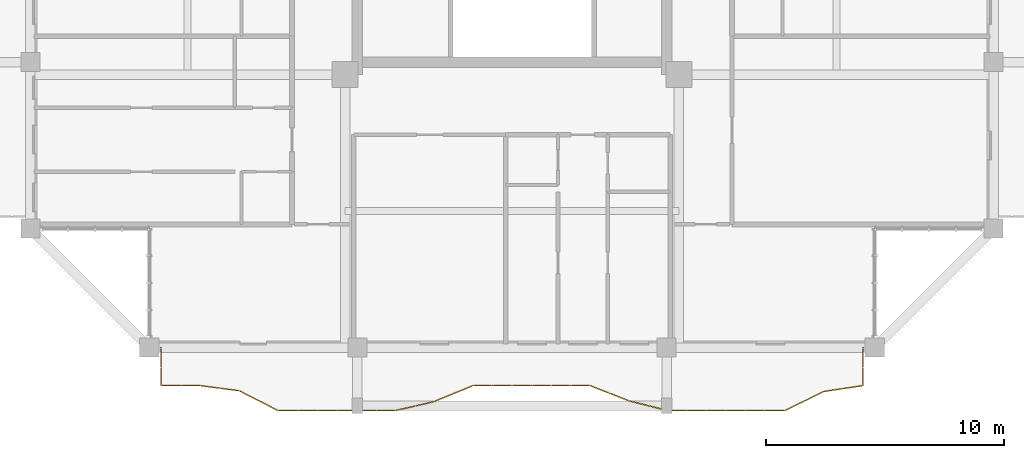
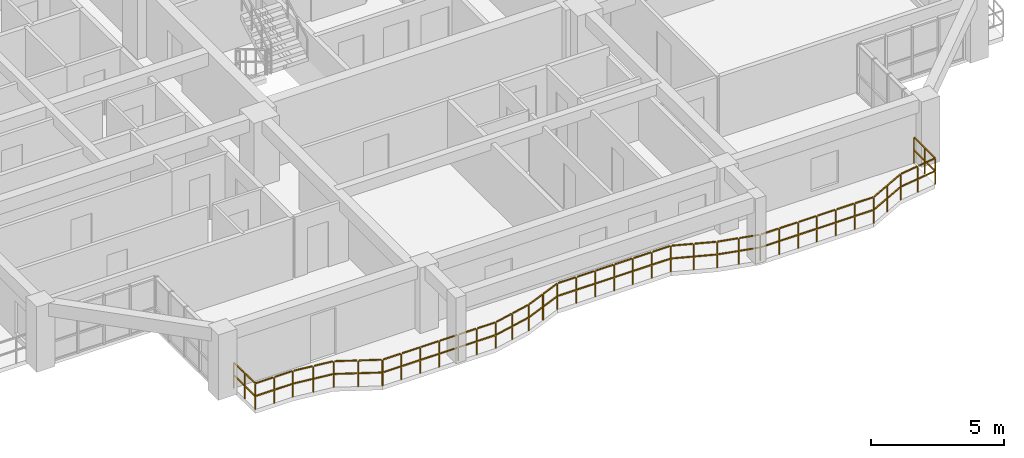
# One storey, part 17 of 21: 1 railing.
"""IFC4 building model written with IfcOpenShell, lengths in metres."""

from ifc_helpers import new_model, si_unit, direction, frame, origin, origin_2d, place, context, subcontext, project, spatial, rectangle, extrude, material, type_object, element, save


model = new_model("IFC4")

# Units and contexts
model_context = context("Model", 3, precision=1e-05, world=origin(), true_north=direction((0.0, 1.0)))
body_context = subcontext(model_context, "Body", "Model", "MODEL_VIEW")
ifc_project = project(units=[si_unit("LENGTHUNIT", "METRE"), si_unit("AREAUNIT", "SQUARE_METRE"), si_unit("VOLUMEUNIT", "CUBIC_METRE"), si_unit("PLANEANGLEUNIT", "RADIAN"), si_unit("MASSUNIT", "GRAM", prefix="KILO")], contexts=[model_context])

# Site, building, storey
site_placement = place(None, origin())
site = spatial("IfcSite", under=ifc_project, at=site_placement, CompositionType="ELEMENT")
building_placement = place(site_placement, origin())
building = spatial("IfcBuilding", under=site, at=building_placement, Name="Saelheon Loggia Tower", CompositionType="ELEMENT")
storey_placement = place(building_placement, frame((0.0, 0.0, 186.699951171875)))
storey = spatial("IfcBuildingStorey", under=building, at=storey_placement, Name="L58", CompositionType="ELEMENT", Elevation=186.699951171875)

# Railing
ifc_material = material(Name="Architectural Precast Concrete and Laminated Glass Guard", Category="concrete")
railing_type = type_object("IfcRailingType", Name="Guard_Loggia_RL_LOG", PredefinedType="BALUSTRADE", material=ifc_material)
railing_placement = place(storey_placement, frame((23.25, 6.0, 0.0)))
element("IfcRailing", 1, at=railing_placement, inside=storey, type_object=railing_type, Name="L58 South Loggia Balustrade", PredefinedType="BALUSTRADE", context=body_context, shape_type="SweptSolid", body=[
    extrude(rectangle(XDim=0.048095703125, YDim=0.048095703125, at=origin_2d()), frame((0.0, -0.033203125, 1.19580078125), z_axis=(0.0, -1.0, 0.0), x_axis=(1.0, 0.0, 0.0)), (0.0, 0.0, 1.0), 0.733642578125),
    extrude(rectangle(XDim=0.048095703125, YDim=0.048095703125, at=origin_2d()), frame((0.0, -0.033203125, 0.60986328125), z_axis=(0.0, -1.0, 0.0), x_axis=(1.0, 0.0, 0.0)), (0.0, 0.0, 1.0), 0.733642578125),
    extrude(rectangle(XDim=0.048095703125, YDim=0.048095703125, at=origin_2d()), frame((0.0, -0.833251953125, 1.19580078125), z_axis=(0.0, -1.0, 0.0), x_axis=(1.0, 0.0, 0.0)), (0.0, 0.0, 1.0), 0.733642578125),
    extrude(rectangle(XDim=0.048095703125, YDim=0.048095703125, at=origin_2d()), frame((0.0, -0.833251953125, 0.60986328125), z_axis=(0.0, -1.0, 0.0), x_axis=(1.0, 0.0, 0.0)), (0.0, 0.0, 1.0), 0.733642578125),
    extrude(rectangle(XDim=0.048095703125, YDim=0.048095703125, at=origin_2d()), frame((0.033203125, -1.60009765625, 1.19580078125), z_axis=(1.0, 0.0, 0.0), x_axis=(0.0, 1.0, 0.0)), (0.0, 0.0, 1.0), 0.7529296875),
    extrude(rectangle(XDim=0.048095703125, YDim=0.048095703125, at=origin_2d()), frame((0.033203125, -1.60009765625, 0.60986328125), z_axis=(1.0, 0.0, 0.0), x_axis=(0.0, 1.0, 0.0)), (0.0, 0.0, 1.0), 0.7529296875),
    extrude(rectangle(XDim=0.048095703125, YDim=0.048095703125, at=origin_2d()), frame((0.852783203125, -1.60009765625, 1.19580078125), z_axis=(1.0, 0.0, 0.0), x_axis=(0.0, 1.0, 0.0)), (0.0, 0.0, 1.0), 0.7529296875),
    extrude(rectangle(XDim=0.048095703125, YDim=0.048095703125, at=origin_2d()), frame((0.852783203125, -1.60009765625, 0.60986328125), z_axis=(1.0, 0.0, 0.0), x_axis=(0.0, 1.0, 0.0)), (0.0, 0.0, 1.0), 0.7529296875),
    extrude(rectangle(XDim=0.048095703125, YDim=0.048095703125, at=origin_2d()), frame((1.671875, -1.6044921875, 1.19580078125), z_axis=(0.991497976184, -0.130122108896, 0.0), x_axis=(0.130122108896, 0.991497976184, 0.0)), (0.0, 0.0, 1.0), 0.760009765625),
    extrude(rectangle(XDim=0.048095703125, YDim=0.048095703125, at=origin_2d()), frame((1.671875, -1.6044921875, 0.60986328125), z_axis=(0.991497976184, -0.130122108896, 0.0), x_axis=(0.130122108896, 0.991497976184, 0.0)), (0.0, 0.0, 1.0), 0.760009765625),
    extrude(rectangle(XDim=0.048095703125, YDim=0.048095703125, at=origin_2d()), frame((2.4912109375, -1.7119140625, 1.19580078125), z_axis=(0.991497976184, -0.130122108896, 0.0), x_axis=(0.130122108896, 0.991497976184, 0.0)), (0.0, 0.0, 1.0), 0.760009765625),
    extrude(rectangle(XDim=0.048095703125, YDim=0.048095703125, at=origin_2d()), frame((2.4912109375, -1.7119140625, 0.60986328125), z_axis=(0.991497976184, -0.130122108896, 0.0), x_axis=(0.130122108896, 0.991497976184, 0.0)), (0.0, 0.0, 1.0), 0.760009765625),
    extrude(rectangle(XDim=0.048095703125, YDim=0.048095703125, at=origin_2d()), frame((3.307373046875, -1.830322265625, 1.19580078125), z_axis=(0.891084064412, -0.453838286344, 0.0), x_axis=(0.453838286344, 0.891084064412, 0.0)), (0.0, 0.0, 1.0), 0.853271484375),
    extrude(rectangle(XDim=0.048095703125, YDim=0.048095703125, at=origin_2d()), frame((3.307373046875, -1.830322265625, 0.60986328125), z_axis=(0.891084064412, -0.453838286344, 0.0), x_axis=(0.453838286344, 0.891084064412, 0.0)), (0.0, 0.0, 1.0), 0.853271484375),
    extrude(rectangle(XDim=0.048095703125, YDim=0.048095703125, at=origin_2d()), frame((4.126953125, -2.24755859375, 1.19580078125), z_axis=(0.891084064412, -0.453838286344, 0.0), x_axis=(0.453838286344, 0.891084064412, 0.0)), (0.0, 0.0, 1.0), 0.853271484375),
    extrude(rectangle(XDim=0.048095703125, YDim=0.048095703125, at=origin_2d()), frame((4.126953125, -2.24755859375, 0.60986328125), z_axis=(0.891084064412, -0.453838286344, 0.0), x_axis=(0.453838286344, 0.891084064412, 0.0)), (0.0, 0.0, 1.0), 0.853271484375),
    extrude(rectangle(XDim=0.048095703125, YDim=0.048095703125, at=origin_2d()), frame((4.949951171875, -2.64990234375, 1.19580078125), z_axis=(1.0, 0.0, 0.0), x_axis=(0.0, 1.0, 0.0)), (0.0, 0.0, 1.0), 0.7529296875),
    extrude(rectangle(XDim=0.048095703125, YDim=0.048095703125, at=origin_2d()), frame((4.949951171875, -2.64990234375, 0.60986328125), z_axis=(1.0, 0.0, 0.0), x_axis=(0.0, 1.0, 0.0)), (0.0, 0.0, 1.0), 0.7529296875),
    extrude(rectangle(XDim=0.048095703125, YDim=0.048095703125, at=origin_2d()), frame((5.76953125, -2.64990234375, 1.19580078125), z_axis=(1.0, 0.0, 0.0), x_axis=(0.0, 1.0, 0.0)), (0.0, 0.0, 1.0), 0.7529296875),
    extrude(rectangle(XDim=0.048095703125, YDim=0.048095703125, at=origin_2d()), frame((5.76953125, -2.64990234375, 0.60986328125), z_axis=(1.0, 0.0, 0.0), x_axis=(0.0, 1.0, 0.0)), (0.0, 0.0, 1.0), 0.7529296875),
    extrude(rectangle(XDim=0.048095703125, YDim=0.048095703125, at=origin_2d()), frame((6.5888671875, -2.64990234375, 1.19580078125), z_axis=(1.0, 0.0, 0.0), x_axis=(0.0, 1.0, 0.0)), (0.0, 0.0, 1.0), 0.7529296875),
    extrude(rectangle(XDim=0.048095703125, YDim=0.048095703125, at=origin_2d()), frame((6.5888671875, -2.64990234375, 0.60986328125), z_axis=(1.0, 0.0, 0.0), x_axis=(0.0, 1.0, 0.0)), (0.0, 0.0, 1.0), 0.7529296875),
    extrude(rectangle(XDim=0.048095703125, YDim=0.048095703125, at=origin_2d()), frame((7.408203125, -2.64990234375, 1.19580078125), z_axis=(1.0, 0.0, 0.0), x_axis=(0.0, 1.0, 0.0)), (0.0, 0.0, 1.0), 0.7529296875),
    extrude(rectangle(XDim=0.048095703125, YDim=0.048095703125, at=origin_2d()), frame((7.408203125, -2.64990234375, 0.60986328125), z_axis=(1.0, 0.0, 0.0), x_axis=(0.0, 1.0, 0.0)), (0.0, 0.0, 1.0), 0.7529296875),
    extrude(rectangle(XDim=0.048095703125, YDim=0.048095703125, at=origin_2d()), frame((8.2275390625, -2.64990234375, 1.19580078125), z_axis=(1.0, 0.0, 0.0), x_axis=(0.0, 1.0, 0.0)), (0.0, 0.0, 1.0), 0.7529296875),
    extrude(rectangle(XDim=0.048095703125, YDim=0.048095703125, at=origin_2d()), frame((8.2275390625, -2.64990234375, 0.60986328125), z_axis=(1.0, 0.0, 0.0), x_axis=(0.0, 1.0, 0.0)), (0.0, 0.0, 1.0), 0.7529296875),
    extrude(rectangle(XDim=0.048095703125, YDim=0.048095703125, at=origin_2d()), frame((9.047119140625, -2.64990234375, 1.19580078125), z_axis=(1.0, 0.0, 0.0), x_axis=(0.0, 1.0, 0.0)), (0.0, 0.0, 1.0), 0.7529296875),
    extrude(rectangle(XDim=0.048095703125, YDim=0.048095703125, at=origin_2d()), frame((9.047119140625, -2.64990234375, 0.60986328125), z_axis=(1.0, 0.0, 0.0), x_axis=(0.0, 1.0, 0.0)), (0.0, 0.0, 1.0), 0.7529296875),
    extrude(rectangle(XDim=0.048095703125, YDim=0.048095703125, at=origin_2d()), frame((9.86572265625, -2.642578125, 1.19580078125), z_axis=(0.974649928996, 0.223735370264, 0.0), x_axis=(-0.223735370264, 0.974649928996, 0.0)), (0.0, 0.0, 1.0), 0.7744140625),
    extrude(rectangle(XDim=0.048095703125, YDim=0.048095703125, at=origin_2d()), frame((9.86572265625, -2.642578125, 0.60986328125), z_axis=(0.974649928996, 0.223735370264, 0.0), x_axis=(-0.223735370264, 0.974649928996, 0.0)), (0.0, 0.0, 1.0), 0.7744140625),
    extrude(rectangle(XDim=0.048095703125, YDim=0.048095703125, at=origin_2d()), frame((10.68505859375, -2.454345703125, 1.19580078125), z_axis=(0.974649928996, 0.223735370264, 0.0), x_axis=(-0.223735370264, 0.974649928996, 0.0)), (0.0, 0.0, 1.0), 0.7744140625),
    extrude(rectangle(XDim=0.048095703125, YDim=0.048095703125, at=origin_2d()), frame((10.68505859375, -2.454345703125, 0.60986328125), z_axis=(0.974649928996, 0.223735370264, 0.0), x_axis=(-0.223735370264, 0.974649928996, 0.0)), (0.0, 0.0, 1.0), 0.7744140625),
    extrude(rectangle(XDim=0.048095703125, YDim=0.048095703125, at=origin_2d()), frame((11.5029296875, -2.260986328125, 1.19580078125), z_axis=(0.924929002616, 0.380139895459, 0.0), x_axis=(-0.380139895459, 0.924929002616, 0.0)), (0.0, 0.0, 1.0), 0.819580078125),
    extrude(rectangle(XDim=0.048095703125, YDim=0.048095703125, at=origin_2d()), frame((11.5029296875, -2.260986328125, 0.60986328125), z_axis=(0.924929002616, 0.380139895459, 0.0), x_axis=(-0.380139895459, 0.924929002616, 0.0)), (0.0, 0.0, 1.0), 0.819580078125),
    extrude(rectangle(XDim=0.048095703125, YDim=0.048095703125, at=origin_2d()), frame((12.322265625, -1.92431640625, 1.19580078125), z_axis=(0.924929002616, 0.380139895459, 0.0), x_axis=(-0.380139895459, 0.924929002616, 0.0)), (0.0, 0.0, 1.0), 0.819580078125),
    extrude(rectangle(XDim=0.048095703125, YDim=0.048095703125, at=origin_2d()), frame((12.322265625, -1.92431640625, 0.60986328125), z_axis=(0.924929002616, 0.380139895459, 0.0), x_axis=(-0.380139895459, 0.924929002616, 0.0)), (0.0, 0.0, 1.0), 0.819580078125),
    extrude(rectangle(XDim=0.048095703125, YDim=0.048095703125, at=origin_2d()), frame((13.144287109375, -1.60009765625, 1.19580078125), z_axis=(1.0, 0.0, 0.0), x_axis=(0.0, 1.0, 0.0)), (0.0, 0.0, 1.0), 0.7529296875),
    extrude(rectangle(XDim=0.048095703125, YDim=0.048095703125, at=origin_2d()), frame((13.144287109375, -1.60009765625, 0.60986328125), z_axis=(1.0, 0.0, 0.0), x_axis=(0.0, 1.0, 0.0)), (0.0, 0.0, 1.0), 0.7529296875),
    extrude(rectangle(XDim=0.048095703125, YDim=0.048095703125, at=origin_2d()), frame((13.9638671875, -1.60009765625, 1.19580078125), z_axis=(1.0, 0.0, 0.0), x_axis=(0.0, 1.0, 0.0)), (0.0, 0.0, 1.0), 0.7529296875),
    extrude(rectangle(XDim=0.048095703125, YDim=0.048095703125, at=origin_2d()), frame((13.9638671875, -1.60009765625, 0.60986328125), z_axis=(1.0, 0.0, 0.0), x_axis=(0.0, 1.0, 0.0)), (0.0, 0.0, 1.0), 0.7529296875),
    extrude(rectangle(XDim=0.048095703125, YDim=0.048095703125, at=origin_2d()), frame((14.783203125, -1.60009765625, 1.19580078125), z_axis=(1.0, 0.0, 0.0), x_axis=(0.0, 1.0, 0.0)), (0.0, 0.0, 1.0), 0.7529296875),
    extrude(rectangle(XDim=0.048095703125, YDim=0.048095703125, at=origin_2d()), frame((14.783203125, -1.60009765625, 0.60986328125), z_axis=(1.0, 0.0, 0.0), x_axis=(0.0, 1.0, 0.0)), (0.0, 0.0, 1.0), 0.7529296875),
    extrude(rectangle(XDim=0.048095703125, YDim=0.048095703125, at=origin_2d()), frame((15.602783203125, -1.60009765625, 1.19580078125), z_axis=(1.0, 0.0, 0.0), x_axis=(0.0, 1.0, 0.0)), (0.0, 0.0, 1.0), 0.7529296875),
    extrude(rectangle(XDim=0.048095703125, YDim=0.048095703125, at=origin_2d()), frame((15.602783203125, -1.60009765625, 0.60986328125), z_axis=(1.0, 0.0, 0.0), x_axis=(0.0, 1.0, 0.0)), (0.0, 0.0, 1.0), 0.7529296875),
    extrude(rectangle(XDim=0.048095703125, YDim=0.048095703125, at=origin_2d()), frame((16.422119140625, -1.60009765625, 1.19580078125), z_axis=(1.0, 0.0, 0.0), x_axis=(0.0, 1.0, 0.0)), (0.0, 0.0, 1.0), 0.7529296875),
    extrude(rectangle(XDim=0.048095703125, YDim=0.048095703125, at=origin_2d()), frame((16.422119140625, -1.60009765625, 0.60986328125), z_axis=(1.0, 0.0, 0.0), x_axis=(0.0, 1.0, 0.0)), (0.0, 0.0, 1.0), 0.7529296875),
    extrude(rectangle(XDim=0.048095703125, YDim=0.048095703125, at=origin_2d()), frame((17.24169921875, -1.60009765625, 1.19580078125), z_axis=(1.0, 0.0, 0.0), x_axis=(0.0, 1.0, 0.0)), (0.0, 0.0, 1.0), 0.7529296875),
    extrude(rectangle(XDim=0.048095703125, YDim=0.048095703125, at=origin_2d()), frame((17.24169921875, -1.60009765625, 0.60986328125), z_axis=(1.0, 0.0, 0.0), x_axis=(0.0, 1.0, 0.0)), (0.0, 0.0, 1.0), 0.7529296875),
    extrude(rectangle(XDim=0.048095703125, YDim=0.048095703125, at=origin_2d()), frame((18.058837890625, -1.6123046875, 1.19580078125), z_axis=(0.931422812302, -0.363938929937, 0.0), x_axis=(0.363938929937, 0.931422812302, 0.0)), (0.0, 0.0, 1.0), 0.813232421875),
    extrude(rectangle(XDim=0.048095703125, YDim=0.048095703125, at=origin_2d()), frame((18.058837890625, -1.6123046875, 0.60986328125), z_axis=(0.931422812302, -0.363938929937, 0.0), x_axis=(0.363938929937, 0.931422812302, 0.0)), (0.0, 0.0, 1.0), 0.813232421875),
    extrude(rectangle(XDim=0.048095703125, YDim=0.048095703125, at=origin_2d()), frame((18.878173828125, -1.932373046875, 1.19580078125), z_axis=(0.931422812302, -0.363938929937, 0.0), x_axis=(0.363938929937, 0.931422812302, 0.0)), (0.0, 0.0, 1.0), 0.813232421875),
    extrude(rectangle(XDim=0.048095703125, YDim=0.048095703125, at=origin_2d()), frame((18.878173828125, -1.932373046875, 0.60986328125), z_axis=(0.931422812302, -0.363938929937, 0.0), x_axis=(0.363938929937, 0.931422812302, 0.0)), (0.0, 0.0, 1.0), 0.813232421875),
    extrude(rectangle(XDim=0.048095703125, YDim=0.048095703125, at=origin_2d()), frame((19.698974609375, -2.24853515625, 1.19580078125), z_axis=(0.970184992102, -0.242365593886, 0.0), x_axis=(0.242365593886, 0.970184992102, 0.0)), (0.0, 0.0, 1.0), 0.778076171875),
    extrude(rectangle(XDim=0.048095703125, YDim=0.048095703125, at=origin_2d()), frame((19.698974609375, -2.24853515625, 0.60986328125), z_axis=(0.970184992102, -0.242365593886, 0.0), x_axis=(0.242365593886, 0.970184992102, 0.0)), (0.0, 0.0, 1.0), 0.778076171875),
    extrude(rectangle(XDim=0.048095703125, YDim=0.048095703125, at=origin_2d()), frame((20.5185546875, -2.453125, 1.19580078125), z_axis=(0.970184992102, -0.242365593886, 0.0), x_axis=(0.242365593886, 0.970184992102, 0.0)), (0.0, 0.0, 1.0), 0.778076171875),
    extrude(rectangle(XDim=0.048095703125, YDim=0.048095703125, at=origin_2d()), frame((20.5185546875, -2.453125, 0.60986328125), z_axis=(0.970184992102, -0.242365593886, 0.0), x_axis=(0.242365593886, 0.970184992102, 0.0)), (0.0, 0.0, 1.0), 0.778076171875),
    extrude(rectangle(XDim=0.048095703125, YDim=0.048095703125, at=origin_2d()), frame((21.3388671875, -2.64990234375, 1.19580078125), z_axis=(1.0, 0.0, 0.0), x_axis=(0.0, 1.0, 0.0)), (0.0, 0.0, 1.0), 0.7529296875),
    extrude(rectangle(XDim=0.048095703125, YDim=0.048095703125, at=origin_2d()), frame((21.3388671875, -2.64990234375, 0.60986328125), z_axis=(1.0, 0.0, 0.0), x_axis=(0.0, 1.0, 0.0)), (0.0, 0.0, 1.0), 0.7529296875),
    extrude(rectangle(XDim=0.048095703125, YDim=0.048095703125, at=origin_2d()), frame((22.158203125, -2.64990234375, 1.19580078125), z_axis=(1.0, 0.0, 0.0), x_axis=(0.0, 1.0, 0.0)), (0.0, 0.0, 1.0), 0.7529296875),
    extrude(rectangle(XDim=0.048095703125, YDim=0.048095703125, at=origin_2d()), frame((22.158203125, -2.64990234375, 0.60986328125), z_axis=(1.0, 0.0, 0.0), x_axis=(0.0, 1.0, 0.0)), (0.0, 0.0, 1.0), 0.7529296875),
    extrude(rectangle(XDim=0.048095703125, YDim=0.048095703125, at=origin_2d()), frame((22.9775390625, -2.64990234375, 1.19580078125), z_axis=(1.0, 0.0, 0.0), x_axis=(0.0, 1.0, 0.0)), (0.0, 0.0, 1.0), 0.7529296875),
    extrude(rectangle(XDim=0.048095703125, YDim=0.048095703125, at=origin_2d()), frame((22.9775390625, -2.64990234375, 0.60986328125), z_axis=(1.0, 0.0, 0.0), x_axis=(0.0, 1.0, 0.0)), (0.0, 0.0, 1.0), 0.7529296875),
    extrude(rectangle(XDim=0.048095703125, YDim=0.048095703125, at=origin_2d()), frame((23.797119140625, -2.64990234375, 1.19580078125), z_axis=(1.0, 0.0, 0.0), x_axis=(0.0, 1.0, 0.0)), (0.0, 0.0, 1.0), 0.7529296875),
    extrude(rectangle(XDim=0.048095703125, YDim=0.048095703125, at=origin_2d()), frame((23.797119140625, -2.64990234375, 0.60986328125), z_axis=(1.0, 0.0, 0.0), x_axis=(0.0, 1.0, 0.0)), (0.0, 0.0, 1.0), 0.7529296875),
    extrude(rectangle(XDim=0.048095703125, YDim=0.048095703125, at=origin_2d()), frame((24.616455078125, -2.64990234375, 1.19580078125), z_axis=(1.0, 0.0, 0.0), x_axis=(0.0, 1.0, 0.0)), (0.0, 0.0, 1.0), 0.7529296875),
    extrude(rectangle(XDim=0.048095703125, YDim=0.048095703125, at=origin_2d()), frame((24.616455078125, -2.64990234375, 0.60986328125), z_axis=(1.0, 0.0, 0.0), x_axis=(0.0, 1.0, 0.0)), (0.0, 0.0, 1.0), 0.7529296875),
    extrude(rectangle(XDim=0.048095703125, YDim=0.048095703125, at=origin_2d()), frame((25.43603515625, -2.64990234375, 1.19580078125), z_axis=(1.0, 0.0, 0.0), x_axis=(0.0, 1.0, 0.0)), (0.0, 0.0, 1.0), 0.7529296875),
    extrude(rectangle(XDim=0.048095703125, YDim=0.048095703125, at=origin_2d()), frame((25.43603515625, -2.64990234375, 0.60986328125), z_axis=(1.0, 0.0, 0.0), x_axis=(0.0, 1.0, 0.0)), (0.0, 0.0, 1.0), 0.7529296875),
    extrude(rectangle(XDim=0.048095703125, YDim=0.048095703125, at=origin_2d()), frame((26.251953125, -2.63525390625, 1.19580078125), z_axis=(0.898115551391, 0.439759543784, 0.0), x_axis=(-0.439759543784, 0.898115551391, 0.0)), (0.0, 0.0, 1.0), 0.845947265625),
    extrude(rectangle(XDim=0.048095703125, YDim=0.048095703125, at=origin_2d()), frame((26.251953125, -2.63525390625, 0.60986328125), z_axis=(0.898115551391, 0.439759543784, 0.0), x_axis=(-0.439759543784, 0.898115551391, 0.0)), (0.0, 0.0, 1.0), 0.845947265625),
    extrude(rectangle(XDim=0.048095703125, YDim=0.048095703125, at=origin_2d()), frame((27.071533203125, -2.234130859375, 1.19580078125), z_axis=(0.898115551391, 0.439759543784, 0.0), x_axis=(-0.439759543784, 0.898115551391, 0.0)), (0.0, 0.0, 1.0), 0.845947265625),
    extrude(rectangle(XDim=0.048095703125, YDim=0.048095703125, at=origin_2d()), frame((27.071533203125, -2.234130859375, 0.60986328125), z_axis=(0.898115551391, 0.439759543784, 0.0), x_axis=(-0.439759543784, 0.898115551391, 0.0)), (0.0, 0.0, 1.0), 0.845947265625),
    extrude(rectangle(XDim=0.048095703125, YDim=0.048095703125, at=origin_2d()), frame((27.89404296875, -1.842529296875, 1.19580078125), z_axis=(0.988805238178, 0.149211933007, 0.0), x_axis=(-0.149211933007, 0.988805238178, 0.0)), (0.0, 0.0, 1.0), 0.76220703125),
    extrude(rectangle(XDim=0.048095703125, YDim=0.048095703125, at=origin_2d()), frame((27.89404296875, -1.842529296875, 0.60986328125), z_axis=(0.988805238178, 0.149211933007, 0.0), x_axis=(-0.149211933007, 0.988805238178, 0.0)), (0.0, 0.0, 1.0), 0.76220703125),
    extrude(rectangle(XDim=0.048095703125, YDim=0.048095703125, at=origin_2d()), frame((28.71337890625, -1.71875, 1.19580078125), z_axis=(0.988805238178, 0.149211933007, 0.0), x_axis=(-0.149211933007, 0.988805238178, 0.0)), (0.0, 0.0, 1.0), 0.76220703125),
    extrude(rectangle(XDim=0.048095703125, YDim=0.048095703125, at=origin_2d()), frame((28.71337890625, -1.71875, 0.60986328125), z_axis=(0.988805238178, 0.149211933007, 0.0), x_axis=(-0.149211933007, 0.988805238178, 0.0)), (0.0, 0.0, 1.0), 0.76220703125),
    extrude(rectangle(XDim=0.048095703125, YDim=0.048095703125, at=origin_2d()), frame((29.5, -1.56689453125, 1.19580078125), z_axis=(0.0, 1.0, 0.0), x_axis=(-1.0, 0.0, 0.0)), (0.0, 0.0, 1.0), 0.733642578125),
    extrude(rectangle(XDim=0.048095703125, YDim=0.048095703125, at=origin_2d()), frame((29.5, -1.56689453125, 0.60986328125), z_axis=(0.0, 1.0, 0.0), x_axis=(-1.0, 0.0, 0.0)), (0.0, 0.0, 1.0), 0.733642578125),
    extrude(rectangle(XDim=0.048095703125, YDim=0.048095703125, at=origin_2d()), frame((29.5, -0.766845703125, 1.19580078125), z_axis=(0.0, 1.0, 0.0), x_axis=(-1.0, 0.0, 0.0)), (0.0, 0.0, 1.0), 0.733642578125),
    extrude(rectangle(XDim=0.048095703125, YDim=0.048095703125, at=origin_2d()), frame((29.5, -0.766845703125, 0.60986328125), z_axis=(0.0, 1.0, 0.0), x_axis=(-1.0, 0.0, 0.0)), (0.0, 0.0, 1.0), 0.733642578125),
    extrude(rectangle(XDim=0.0419921875, YDim=0.0419921875, at=origin_2d()), origin(), (0.0, 0.0, 1.0), 1.16796875),
    extrude(rectangle(XDim=0.0419921875, YDim=0.0419921875, at=origin_2d()), frame((0.0, -0.800048828125, 0.0)), (0.0, 0.0, 1.0), 1.16796875),
    extrude(rectangle(XDim=0.0419921875, YDim=0.0419921875, at=origin_2d()), frame((0.0, -1.60009765625, 0.0)), (0.0, 0.0, 1.0), 1.16796875),
    extrude(rectangle(XDim=0.0419921875, YDim=0.0419921875, at=origin_2d()), frame((0.8193359375, -1.60009765625, 0.0)), (0.0, 0.0, 1.0), 1.16796875),
    extrude(rectangle(XDim=0.0419921875, YDim=0.0419921875, at=origin_2d()), frame((1.638916015625, -1.60009765625, 0.0)), (0.0, 0.0, 1.0), 1.16796875),
    extrude(rectangle(XDim=0.0419921875, YDim=0.0419921875, at=origin_2d()), frame((2.45849609375, -1.70751953125, 0.0)), (0.0, 0.0, 1.0), 1.16796875),
    extrude(rectangle(XDim=0.0419921875, YDim=0.0419921875, at=origin_2d()), frame((3.27783203125, -1.815185546875, 0.0)), (0.0, 0.0, 1.0), 1.16796875),
    extrude(rectangle(XDim=0.0419921875, YDim=0.0419921875, at=origin_2d()), frame((4.09716796875, -2.232421875, 0.0)), (0.0, 0.0, 1.0), 1.16796875),
    extrude(rectangle(XDim=0.0419921875, YDim=0.0419921875, at=origin_2d()), frame((4.916748046875, -2.64990234375, 0.0)), (0.0, 0.0, 1.0), 1.16796875),
    extrude(rectangle(XDim=0.0419921875, YDim=0.0419921875, at=origin_2d()), frame((5.736328125, -2.64990234375, 0.0)), (0.0, 0.0, 1.0), 1.16796875),
    extrude(rectangle(XDim=0.0419921875, YDim=0.0419921875, at=origin_2d()), frame((6.5556640625, -2.64990234375, 0.0)), (0.0, 0.0, 1.0), 1.16796875),
    extrude(rectangle(XDim=0.0419921875, YDim=0.0419921875, at=origin_2d()), frame((7.375, -2.64990234375, 0.0)), (0.0, 0.0, 1.0), 1.16796875),
    extrude(rectangle(XDim=0.0419921875, YDim=0.0419921875, at=origin_2d()), frame((8.1943359375, -2.64990234375, 0.0)), (0.0, 0.0, 1.0), 1.16796875),
    extrude(rectangle(XDim=0.0419921875, YDim=0.0419921875, at=origin_2d()), frame((9.013671875, -2.64990234375, 0.0)), (0.0, 0.0, 1.0), 1.16796875),
    extrude(rectangle(XDim=0.0419921875, YDim=0.0419921875, at=origin_2d()), frame((9.833251953125, -2.64990234375, 0.0)), (0.0, 0.0, 1.0), 1.16796875),
    extrude(rectangle(XDim=0.0419921875, YDim=0.0419921875, at=origin_2d()), frame((10.65283203125, -2.4619140625, 0.0)), (0.0, 0.0, 1.0), 1.16796875),
    extrude(rectangle(XDim=0.0419921875, YDim=0.0419921875, at=origin_2d()), frame((11.47216796875, -2.273681640625, 0.0)), (0.0, 0.0, 1.0), 1.16796875),
    extrude(rectangle(XDim=0.0419921875, YDim=0.0419921875, at=origin_2d()), frame((12.29150390625, -1.93701171875, 0.0)), (0.0, 0.0, 1.0), 1.16796875),
    extrude(rectangle(XDim=0.0419921875, YDim=0.0419921875, at=origin_2d()), frame((13.111083984375, -1.60009765625, 0.0)), (0.0, 0.0, 1.0), 1.16796875),
    extrude(rectangle(XDim=0.0419921875, YDim=0.0419921875, at=origin_2d()), frame((13.9306640625, -1.60009765625, 0.0)), (0.0, 0.0, 1.0), 1.16796875),
    extrude(rectangle(XDim=0.0419921875, YDim=0.0419921875, at=origin_2d()), frame((14.75, -1.60009765625, 0.0)), (0.0, 0.0, 1.0), 1.16796875),
    extrude(rectangle(XDim=0.0419921875, YDim=0.0419921875, at=origin_2d()), frame((15.5693359375, -1.60009765625, 0.0)), (0.0, 0.0, 1.0), 1.16796875),
    extrude(rectangle(XDim=0.0419921875, YDim=0.0419921875, at=origin_2d()), frame((16.388916015625, -1.60009765625, 0.0)), (0.0, 0.0, 1.0), 1.16796875),
    extrude(rectangle(XDim=0.0419921875, YDim=0.0419921875, at=origin_2d()), frame((17.20849609375, -1.60009765625, 0.0)), (0.0, 0.0, 1.0), 1.16796875),
    extrude(rectangle(XDim=0.0419921875, YDim=0.0419921875, at=origin_2d()), frame((18.02783203125, -1.60009765625, 0.0)), (0.0, 0.0, 1.0), 1.16796875),
    extrude(rectangle(XDim=0.0419921875, YDim=0.0419921875, at=origin_2d()), frame((18.84716796875, -1.92041015625, 0.0)), (0.0, 0.0, 1.0), 1.16796875),
    extrude(rectangle(XDim=0.0419921875, YDim=0.0419921875, at=origin_2d()), frame((19.666748046875, -2.240478515625, 0.0)), (0.0, 0.0, 1.0), 1.16796875),
    extrude(rectangle(XDim=0.0419921875, YDim=0.0419921875, at=origin_2d()), frame((20.486328125, -2.4453125, 0.0)), (0.0, 0.0, 1.0), 1.16796875),
    extrude(rectangle(XDim=0.0419921875, YDim=0.0419921875, at=origin_2d()), frame((21.3056640625, -2.64990234375, 0.0)), (0.0, 0.0, 1.0), 1.16796875),
    extrude(rectangle(XDim=0.0419921875, YDim=0.0419921875, at=origin_2d()), frame((22.125, -2.64990234375, 0.0)), (0.0, 0.0, 1.0), 1.16796875),
    extrude(rectangle(XDim=0.0419921875, YDim=0.0419921875, at=origin_2d()), frame((22.9443359375, -2.64990234375, 0.0)), (0.0, 0.0, 1.0), 1.16796875),
    extrude(rectangle(XDim=0.0419921875, YDim=0.0419921875, at=origin_2d()), frame((23.763671875, -2.64990234375, 0.0)), (0.0, 0.0, 1.0), 1.16796875),
    extrude(rectangle(XDim=0.0419921875, YDim=0.0419921875, at=origin_2d()), frame((24.583251953125, -2.64990234375, 0.0)), (0.0, 0.0, 1.0), 1.16796875),
    extrude(rectangle(XDim=0.0419921875, YDim=0.0419921875, at=origin_2d()), frame((25.40283203125, -2.64990234375, 0.0)), (0.0, 0.0, 1.0), 1.16796875),
    extrude(rectangle(XDim=0.0419921875, YDim=0.0419921875, at=origin_2d()), frame((26.22216796875, -2.64990234375, 0.0)), (0.0, 0.0, 1.0), 1.16796875),
    extrude(rectangle(XDim=0.0419921875, YDim=0.0419921875, at=origin_2d()), frame((27.04150390625, -2.24853515625, 0.0)), (0.0, 0.0, 1.0), 1.16796875),
    extrude(rectangle(XDim=0.0419921875, YDim=0.0419921875, at=origin_2d()), frame((27.861083984375, -1.847412109375, 0.0)), (0.0, 0.0, 1.0), 1.16796875),
    extrude(rectangle(XDim=0.0419921875, YDim=0.0419921875, at=origin_2d()), frame((28.6806640625, -1.7236328125, 0.0)), (0.0, 0.0, 1.0), 1.16796875),
    extrude(rectangle(XDim=0.0419921875, YDim=0.0419921875, at=origin_2d()), frame((29.5, -1.60009765625, 0.0)), (0.0, 0.0, 1.0), 1.16796875),
    extrude(rectangle(XDim=0.0419921875, YDim=0.0419921875, at=origin_2d()), frame((29.5, -0.800048828125, 0.0)), (0.0, 0.0, 1.0), 1.16796875),
    extrude(rectangle(XDim=0.0419921875, YDim=0.0419921875, at=origin_2d()), frame((29.5, 0.0, 0.0)), (0.0, 0.0, 1.0), 1.16796875),
])

save(model, "model.ifc")
